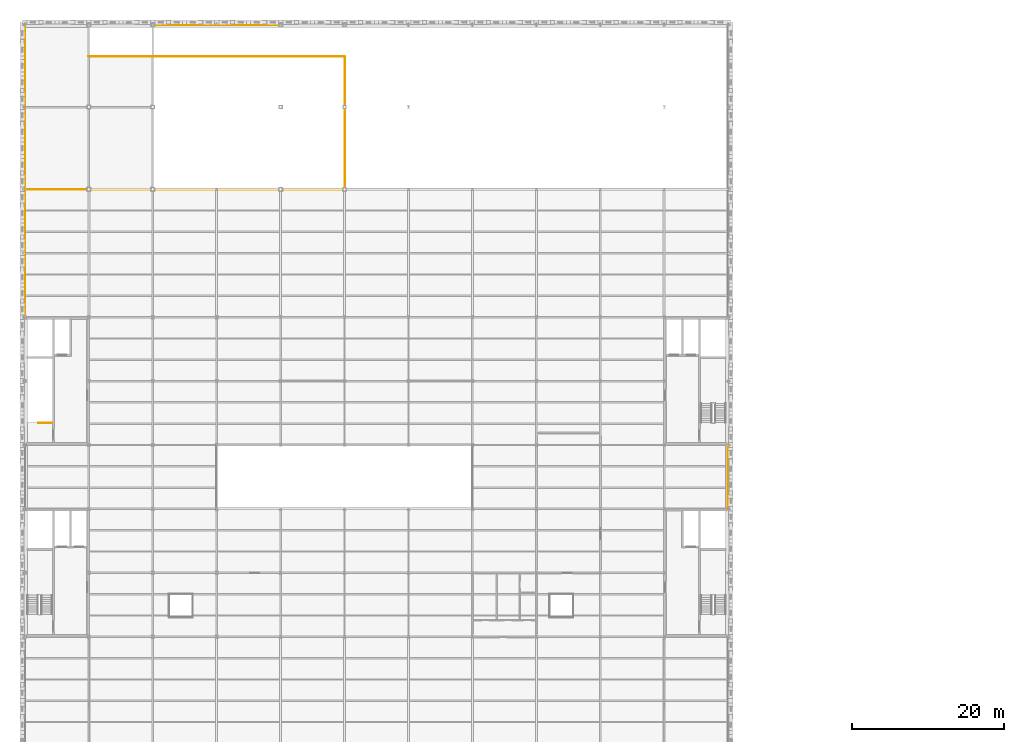
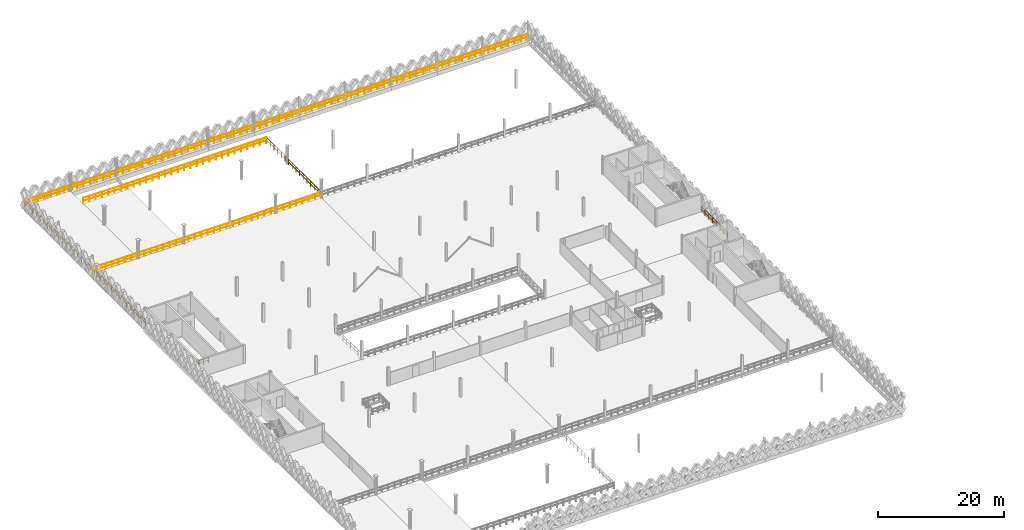
# One storey, part 46 of 47: 8 railings.
"""IFC4 building model written with IfcOpenShell, lengths in metres."""

from ifc_helpers import new_model, si_unit, direction, frame, origin, origin_2d, place, context, subcontext, project, spatial, circle, extrude, material, type_object, element, save


model = new_model("IFC4")

# Units and contexts
model_context = context("Model", 3, precision=1e-05, world=origin(), true_north=direction((0.0, 1.0)))
body_context = subcontext(model_context, "Body", "Model", "MODEL_VIEW")
ifc_project = project(units=[si_unit("LENGTHUNIT", "METRE"), si_unit("AREAUNIT", "SQUARE_METRE"), si_unit("VOLUMEUNIT", "CUBIC_METRE"), si_unit("PLANEANGLEUNIT", "RADIAN"), si_unit("MASSUNIT", "GRAM", prefix="KILO"), si_unit("THERMODYNAMICTEMPERATUREUNIT", "KELVIN"), si_unit("POWERUNIT", "WATT")], contexts=[model_context])

# Site, building, storey
site_placement = place(None, origin())
site = spatial("IfcSite", under=ifc_project, at=site_placement, CompositionType="ELEMENT")
building_placement = place(site_placement, origin())
building = spatial("IfcBuilding", under=site, at=building_placement, Name="Tembeka Court Mobility Hub", CompositionType="ELEMENT")
storey_placement = place(building_placement, frame((0.0, 0.0, 19.800048828125)))
storey = spatial("IfcBuildingStorey", under=building, at=storey_placement, Name="L05", CompositionType="ELEMENT", Elevation=19.800048828125)

# Railings
ifc_material = material(Name="Painted galvanised steel balustrade", Category="steel")
railing_type_1 = type_object("IfcRailingType", Name="RL-GR01", PredefinedType="GUARDRAIL", material=ifc_material)
railing_1_placement = place(storey_placement, frame((3.60009765625, 66.5, 0.0)))
element("IfcRailing", 1, at=railing_1_placement, inside=storey, type_object=railing_type_1, Name="L05 ST03 top well guard 1-1", PredefinedType="GUARDRAIL", context=body_context, shape_type="SweptSolid", body=[
    extrude(circle(Radius=0.02392578125, at=origin_2d()), frame((0.0, 0.0, 1.09619140625), z_axis=(-1.0, 0.0, 0.0), x_axis=(0.0, -1.0, 0.0)), (0.0, 0.0, 1.0), 1.85009765625),
    extrude(circle(Radius=0.02392578125, at=origin_2d()), frame((0.0, 0.0, 0.5361328125), z_axis=(-1.0, 0.0, 0.0), x_axis=(0.0, -1.0, 0.0)), (0.0, 0.0, 1.0), 1.85009765625),
    extrude(circle(Radius=0.02099609375, at=origin_2d()), origin(), (0.0, 0.0, 1.0), 1.072021484375),
    extrude(circle(Radius=0.02099609375, at=origin_2d()), frame((-0.925048828125, 0.0, 0.0)), (0.0, 0.0, 1.0), 1.072021484375),
    extrude(circle(Radius=0.02099609375, at=origin_2d()), frame((-1.85009765625, 0.0, 0.0)), (0.0, 0.0, 1.0), 1.072021484375),
])
railing_type_2 = type_object("IfcRailingType", Name="RL-GR02", PredefinedType="GUARDRAIL", material=ifc_material)
railing_2_placement = place(storey_placement, frame((0.080078125, 97.14990234375, 0.0)))
element("IfcRailing", 2, at=railing_2_placement, inside=storey, type_object=railing_type_2, Name="Perimeter guard GR02-0040", PredefinedType="GUARDRAIL", context=body_context, shape_type="SweptSolid", body=[
    extrude(circle(Radius=0.02392578125, at=origin_2d()), frame((0.0, 0.0, 1.09619140625), z_axis=(1.0, 0.0, 0.0), x_axis=(0.0, 1.0, 0.0)), (0.0, 0.0, 1.0), 8.239990234375),
    extrude(circle(Radius=0.02392578125, at=origin_2d()), frame((0.0, 0.0, 0.5361328125), z_axis=(1.0, 0.0, 0.0), x_axis=(0.0, 1.0, 0.0)), (0.0, 0.0, 1.0), 8.239990234375),
    extrude(circle(Radius=0.02099609375, at=origin_2d()), origin(), (0.0, 0.0, 1.0), 1.072021484375),
    extrude(circle(Radius=0.02099609375, at=origin_2d()), frame((1.17724609375, 0.0, 0.0)), (0.0, 0.0, 1.0), 1.072021484375),
    extrude(circle(Radius=0.02099609375, at=origin_2d()), frame((2.354248046875, 0.0, 0.0)), (0.0, 0.0, 1.0), 1.072021484375),
    extrude(circle(Radius=0.02099609375, at=origin_2d()), frame((3.531494140625, 0.0, 0.0)), (0.0, 0.0, 1.0), 1.072021484375),
    extrude(circle(Radius=0.02099609375, at=origin_2d()), frame((4.70849609375, 0.0, 0.0)), (0.0, 0.0, 1.0), 1.072021484375),
    extrude(circle(Radius=0.02099609375, at=origin_2d()), frame((5.8857421875, 0.0, 0.0)), (0.0, 0.0, 1.0), 1.072021484375),
    extrude(circle(Radius=0.02099609375, at=origin_2d()), frame((7.062744140625, 0.0, 0.0)), (0.0, 0.0, 1.0), 1.072021484375),
    extrude(circle(Radius=0.02099609375, at=origin_2d()), frame((8.239990234375, 0.0, 0.0)), (0.0, 0.0, 1.0), 1.072021484375),
])
railing_3_placement = place(storey_placement, frame((0.080078125, 118.75, 0.0)))
element("IfcRailing", 3, at=railing_3_placement, inside=storey, type_object=railing_type_2, Name="Perimeter guard GR02-0168", PredefinedType="GUARDRAIL", context=body_context, shape_type="SweptSolid", body=[
    extrude(circle(Radius=0.02392578125, at=origin_2d()), frame((0.0, 0.0, 1.09619140625), z_axis=(1.0, 0.0, 0.0), x_axis=(0.0, 1.0, 0.0)), (0.0, 0.0, 1.0), 92.239990234375),
    extrude(circle(Radius=0.02392578125, at=origin_2d()), frame((0.0, 0.0, 0.5361328125), z_axis=(1.0, 0.0, 0.0), x_axis=(0.0, 1.0, 0.0)), (0.0, 0.0, 1.0), 92.239990234375),
    extrude(circle(Radius=0.02099609375, at=origin_2d()), origin(), (0.0, 0.0, 1.0), 1.072021484375),
    extrude(circle(Radius=0.02099609375, at=origin_2d()), frame((1.197998046875, 0.0, 0.0)), (0.0, 0.0, 1.0), 1.072021484375),
    extrude(circle(Radius=0.02099609375, at=origin_2d()), frame((2.395751953125, 0.0, 0.0)), (0.0, 0.0, 1.0), 1.072021484375),
    extrude(circle(Radius=0.02099609375, at=origin_2d()), frame((3.59375, 0.0, 0.0)), (0.0, 0.0, 1.0), 1.072021484375),
    extrude(circle(Radius=0.02099609375, at=origin_2d()), frame((4.791748046875, 0.0, 0.0)), (0.0, 0.0, 1.0), 1.072021484375),
    extrude(circle(Radius=0.02099609375, at=origin_2d()), frame((5.989501953125, 0.0, 0.0)), (0.0, 0.0, 1.0), 1.072021484375),
    extrude(circle(Radius=0.02099609375, at=origin_2d()), frame((7.1875, 0.0, 0.0)), (0.0, 0.0, 1.0), 1.072021484375),
    extrude(circle(Radius=0.02099609375, at=origin_2d()), frame((8.385498046875, 0.0, 0.0)), (0.0, 0.0, 1.0), 1.072021484375),
    extrude(circle(Radius=0.02099609375, at=origin_2d()), frame((9.58349609375, 0.0, 0.0)), (0.0, 0.0, 1.0), 1.072021484375),
    extrude(circle(Radius=0.02099609375, at=origin_2d()), frame((10.78125, 0.0, 0.0)), (0.0, 0.0, 1.0), 1.072021484375),
    extrude(circle(Radius=0.02099609375, at=origin_2d()), frame((11.979248046875, 0.0, 0.0)), (0.0, 0.0, 1.0), 1.072021484375),
    extrude(circle(Radius=0.02099609375, at=origin_2d()), frame((13.17724609375, 0.0, 0.0)), (0.0, 0.0, 1.0), 1.072021484375),
    extrude(circle(Radius=0.02099609375, at=origin_2d()), frame((14.375, 0.0, 0.0)), (0.0, 0.0, 1.0), 1.072021484375),
    extrude(circle(Radius=0.02099609375, at=origin_2d()), frame((15.572998046875, 0.0, 0.0)), (0.0, 0.0, 1.0), 1.072021484375),
    extrude(circle(Radius=0.02099609375, at=origin_2d()), frame((16.77099609375, 0.0, 0.0)), (0.0, 0.0, 1.0), 1.072021484375),
    extrude(circle(Radius=0.02099609375, at=origin_2d()), frame((17.96875, 0.0, 0.0)), (0.0, 0.0, 1.0), 1.072021484375),
    extrude(circle(Radius=0.02099609375, at=origin_2d()), frame((19.166748046875, 0.0, 0.0)), (0.0, 0.0, 1.0), 1.072021484375),
    extrude(circle(Radius=0.02099609375, at=origin_2d()), frame((20.36474609375, 0.0, 0.0)), (0.0, 0.0, 1.0), 1.072021484375),
    extrude(circle(Radius=0.02099609375, at=origin_2d()), frame((21.5625, 0.0, 0.0)), (0.0, 0.0, 1.0), 1.072021484375),
    extrude(circle(Radius=0.02099609375, at=origin_2d()), frame((22.760498046875, 0.0, 0.0)), (0.0, 0.0, 1.0), 1.072021484375),
    extrude(circle(Radius=0.02099609375, at=origin_2d()), frame((23.95849609375, 0.0, 0.0)), (0.0, 0.0, 1.0), 1.072021484375),
    extrude(circle(Radius=0.02099609375, at=origin_2d()), frame((25.15625, 0.0, 0.0)), (0.0, 0.0, 1.0), 1.072021484375),
    extrude(circle(Radius=0.02099609375, at=origin_2d()), frame((26.354248046875, 0.0, 0.0)), (0.0, 0.0, 1.0), 1.072021484375),
    extrude(circle(Radius=0.02099609375, at=origin_2d()), frame((27.55224609375, 0.0, 0.0)), (0.0, 0.0, 1.0), 1.072021484375),
    extrude(circle(Radius=0.02099609375, at=origin_2d()), frame((28.750244140625, 0.0, 0.0)), (0.0, 0.0, 1.0), 1.072021484375),
    extrude(circle(Radius=0.02099609375, at=origin_2d()), frame((29.947998046875, 0.0, 0.0)), (0.0, 0.0, 1.0), 1.072021484375),
    extrude(circle(Radius=0.02099609375, at=origin_2d()), frame((31.14599609375, 0.0, 0.0)), (0.0, 0.0, 1.0), 1.072021484375),
    extrude(circle(Radius=0.02099609375, at=origin_2d()), frame((32.343994140625, 0.0, 0.0)), (0.0, 0.0, 1.0), 1.072021484375),
    extrude(circle(Radius=0.02099609375, at=origin_2d()), frame((33.541748046875, 0.0, 0.0)), (0.0, 0.0, 1.0), 1.072021484375),
    extrude(circle(Radius=0.02099609375, at=origin_2d()), frame((34.73974609375, 0.0, 0.0)), (0.0, 0.0, 1.0), 1.072021484375),
    extrude(circle(Radius=0.02099609375, at=origin_2d()), frame((35.937744140625, 0.0, 0.0)), (0.0, 0.0, 1.0), 1.072021484375),
    extrude(circle(Radius=0.02099609375, at=origin_2d()), frame((37.135498046875, 0.0, 0.0)), (0.0, 0.0, 1.0), 1.072021484375),
    extrude(circle(Radius=0.02099609375, at=origin_2d()), frame((38.33349609375, 0.0, 0.0)), (0.0, 0.0, 1.0), 1.072021484375),
    extrude(circle(Radius=0.02099609375, at=origin_2d()), frame((39.531494140625, 0.0, 0.0)), (0.0, 0.0, 1.0), 1.072021484375),
    extrude(circle(Radius=0.02099609375, at=origin_2d()), frame((40.729248046875, 0.0, 0.0)), (0.0, 0.0, 1.0), 1.072021484375),
    extrude(circle(Radius=0.02099609375, at=origin_2d()), frame((41.92724609375, 0.0, 0.0)), (0.0, 0.0, 1.0), 1.072021484375),
    extrude(circle(Radius=0.02099609375, at=origin_2d()), frame((43.125244140625, 0.0, 0.0)), (0.0, 0.0, 1.0), 1.072021484375),
    extrude(circle(Radius=0.02099609375, at=origin_2d()), frame((44.322998046875, 0.0, 0.0)), (0.0, 0.0, 1.0), 1.072021484375),
    extrude(circle(Radius=0.02099609375, at=origin_2d()), frame((45.52099609375, 0.0, 0.0)), (0.0, 0.0, 1.0), 1.072021484375),
    extrude(circle(Radius=0.02099609375, at=origin_2d()), frame((46.718994140625, 0.0, 0.0)), (0.0, 0.0, 1.0), 1.072021484375),
    extrude(circle(Radius=0.02099609375, at=origin_2d()), frame((47.9169921875, 0.0, 0.0)), (0.0, 0.0, 1.0), 1.072021484375),
    extrude(circle(Radius=0.02099609375, at=origin_2d()), frame((49.11474609375, 0.0, 0.0)), (0.0, 0.0, 1.0), 1.072021484375),
    extrude(circle(Radius=0.02099609375, at=origin_2d()), frame((50.312744140625, 0.0, 0.0)), (0.0, 0.0, 1.0), 1.072021484375),
    extrude(circle(Radius=0.02099609375, at=origin_2d()), frame((51.5107421875, 0.0, 0.0)), (0.0, 0.0, 1.0), 1.072021484375),
    extrude(circle(Radius=0.02099609375, at=origin_2d()), frame((52.70849609375, 0.0, 0.0)), (0.0, 0.0, 1.0), 1.072021484375),
    extrude(circle(Radius=0.02099609375, at=origin_2d()), frame((53.906494140625, 0.0, 0.0)), (0.0, 0.0, 1.0), 1.072021484375),
    extrude(circle(Radius=0.02099609375, at=origin_2d()), frame((55.1044921875, 0.0, 0.0)), (0.0, 0.0, 1.0), 1.072021484375),
    extrude(circle(Radius=0.02099609375, at=origin_2d()), frame((56.30224609375, 0.0, 0.0)), (0.0, 0.0, 1.0), 1.072021484375),
    extrude(circle(Radius=0.02099609375, at=origin_2d()), frame((57.500244140625, 0.0, 0.0)), (0.0, 0.0, 1.0), 1.072021484375),
    extrude(circle(Radius=0.02099609375, at=origin_2d()), frame((58.6982421875, 0.0, 0.0)), (0.0, 0.0, 1.0), 1.072021484375),
    extrude(circle(Radius=0.02099609375, at=origin_2d()), frame((59.89599609375, 0.0, 0.0)), (0.0, 0.0, 1.0), 1.072021484375),
    extrude(circle(Radius=0.02099609375, at=origin_2d()), frame((61.093994140625, 0.0, 0.0)), (0.0, 0.0, 1.0), 1.072021484375),
    extrude(circle(Radius=0.02099609375, at=origin_2d()), frame((62.2919921875, 0.0, 0.0)), (0.0, 0.0, 1.0), 1.072021484375),
    extrude(circle(Radius=0.02099609375, at=origin_2d()), frame((63.48974609375, 0.0, 0.0)), (0.0, 0.0, 1.0), 1.072021484375),
    extrude(circle(Radius=0.02099609375, at=origin_2d()), frame((64.687744140625, 0.0, 0.0)), (0.0, 0.0, 1.0), 1.072021484375),
    extrude(circle(Radius=0.02099609375, at=origin_2d()), frame((65.8857421875, 0.0, 0.0)), (0.0, 0.0, 1.0), 1.072021484375),
    extrude(circle(Radius=0.02099609375, at=origin_2d()), frame((67.083740234375, 0.0, 0.0)), (0.0, 0.0, 1.0), 1.072021484375),
    extrude(circle(Radius=0.02099609375, at=origin_2d()), frame((68.281494140625, 0.0, 0.0)), (0.0, 0.0, 1.0), 1.072021484375),
    extrude(circle(Radius=0.02099609375, at=origin_2d()), frame((69.4794921875, 0.0, 0.0)), (0.0, 0.0, 1.0), 1.072021484375),
    extrude(circle(Radius=0.02099609375, at=origin_2d()), frame((70.677490234375, 0.0, 0.0)), (0.0, 0.0, 1.0), 1.072021484375),
    extrude(circle(Radius=0.02099609375, at=origin_2d()), frame((71.875244140625, 0.0, 0.0)), (0.0, 0.0, 1.0), 1.072021484375),
    extrude(circle(Radius=0.02099609375, at=origin_2d()), frame((73.0732421875, 0.0, 0.0)), (0.0, 0.0, 1.0), 1.072021484375),
    extrude(circle(Radius=0.02099609375, at=origin_2d()), frame((74.271240234375, 0.0, 0.0)), (0.0, 0.0, 1.0), 1.072021484375),
    extrude(circle(Radius=0.02099609375, at=origin_2d()), frame((75.468994140625, 0.0, 0.0)), (0.0, 0.0, 1.0), 1.072021484375),
    extrude(circle(Radius=0.02099609375, at=origin_2d()), frame((76.6669921875, 0.0, 0.0)), (0.0, 0.0, 1.0), 1.072021484375),
    extrude(circle(Radius=0.02099609375, at=origin_2d()), frame((77.864990234375, 0.0, 0.0)), (0.0, 0.0, 1.0), 1.072021484375),
    extrude(circle(Radius=0.02099609375, at=origin_2d()), frame((79.062744140625, 0.0, 0.0)), (0.0, 0.0, 1.0), 1.072021484375),
    extrude(circle(Radius=0.02099609375, at=origin_2d()), frame((80.2607421875, 0.0, 0.0)), (0.0, 0.0, 1.0), 1.072021484375),
    extrude(circle(Radius=0.02099609375, at=origin_2d()), frame((81.458740234375, 0.0, 0.0)), (0.0, 0.0, 1.0), 1.072021484375),
    extrude(circle(Radius=0.02099609375, at=origin_2d()), frame((82.656494140625, 0.0, 0.0)), (0.0, 0.0, 1.0), 1.072021484375),
    extrude(circle(Radius=0.02099609375, at=origin_2d()), frame((83.8544921875, 0.0, 0.0)), (0.0, 0.0, 1.0), 1.072021484375),
    extrude(circle(Radius=0.02099609375, at=origin_2d()), frame((85.052490234375, 0.0, 0.0)), (0.0, 0.0, 1.0), 1.072021484375),
    extrude(circle(Radius=0.02099609375, at=origin_2d()), frame((86.25048828125, 0.0, 0.0)), (0.0, 0.0, 1.0), 1.072021484375),
    extrude(circle(Radius=0.02099609375, at=origin_2d()), frame((87.4482421875, 0.0, 0.0)), (0.0, 0.0, 1.0), 1.072021484375),
    extrude(circle(Radius=0.02099609375, at=origin_2d()), frame((88.646240234375, 0.0, 0.0)), (0.0, 0.0, 1.0), 1.072021484375),
    extrude(circle(Radius=0.02099609375, at=origin_2d()), frame((89.84423828125, 0.0, 0.0)), (0.0, 0.0, 1.0), 1.072021484375),
    extrude(circle(Radius=0.02099609375, at=origin_2d()), frame((91.0419921875, 0.0, 0.0)), (0.0, 0.0, 1.0), 1.072021484375),
    extrude(circle(Radius=0.02099609375, at=origin_2d()), frame((92.239990234375, 0.0, 0.0)), (0.0, 0.0, 1.0), 1.072021484375),
])
railing_4_placement = place(storey_placement, frame((0.050048828125, 80.429931640625, 0.0)))
element("IfcRailing", 4, at=railing_4_placement, inside=storey, type_object=railing_type_2, Name="Perimeter guard GR02-0171", PredefinedType="GUARDRAIL", context=body_context, shape_type="SweptSolid", body=[
    extrude(circle(Radius=0.02392578125, at=origin_2d()), frame((0.0, 0.0, 1.09619140625), z_axis=(0.0, 1.0, 0.0), x_axis=(-1.0, 0.0, 0.0)), (0.0, 0.0, 1.0), 38.2900390625),
    extrude(circle(Radius=0.02392578125, at=origin_2d()), frame((0.0, 0.0, 0.5361328125), z_axis=(0.0, 1.0, 0.0), x_axis=(-1.0, 0.0, 0.0)), (0.0, 0.0, 1.0), 38.2900390625),
    extrude(circle(Radius=0.02099609375, at=origin_2d()), origin(), (0.0, 0.0, 1.0), 1.072021484375),
    extrude(circle(Radius=0.02099609375, at=origin_2d()), frame((0.0, 1.196533203125, 0.0)), (0.0, 0.0, 1.0), 1.072021484375),
    extrude(circle(Radius=0.02099609375, at=origin_2d()), frame((0.0, 2.39306640625, 0.0)), (0.0, 0.0, 1.0), 1.072021484375),
    extrude(circle(Radius=0.02099609375, at=origin_2d()), frame((0.0, 3.589599609375, 0.0)), (0.0, 0.0, 1.0), 1.072021484375),
    extrude(circle(Radius=0.02099609375, at=origin_2d()), frame((0.0, 4.7861328125, 0.0)), (0.0, 0.0, 1.0), 1.072021484375),
    extrude(circle(Radius=0.02099609375, at=origin_2d()), frame((0.0, 5.98291015625, 0.0)), (0.0, 0.0, 1.0), 1.072021484375),
    extrude(circle(Radius=0.02099609375, at=origin_2d()), frame((0.0, 7.179443359375, 0.0)), (0.0, 0.0, 1.0), 1.072021484375),
    extrude(circle(Radius=0.02099609375, at=origin_2d()), frame((0.0, 8.3759765625, 0.0)), (0.0, 0.0, 1.0), 1.072021484375),
    extrude(circle(Radius=0.02099609375, at=origin_2d()), frame((0.0, 9.572509765625, 0.0)), (0.0, 0.0, 1.0), 1.072021484375),
    extrude(circle(Radius=0.02099609375, at=origin_2d()), frame((0.0, 10.76904296875, 0.0)), (0.0, 0.0, 1.0), 1.072021484375),
    extrude(circle(Radius=0.02099609375, at=origin_2d()), frame((0.0, 11.965576171875, 0.0)), (0.0, 0.0, 1.0), 1.072021484375),
    extrude(circle(Radius=0.02099609375, at=origin_2d()), frame((0.0, 13.162109375, 0.0)), (0.0, 0.0, 1.0), 1.072021484375),
    extrude(circle(Radius=0.02099609375, at=origin_2d()), frame((0.0, 14.35888671875, 0.0)), (0.0, 0.0, 1.0), 1.072021484375),
    extrude(circle(Radius=0.02099609375, at=origin_2d()), frame((0.0, 15.555419921875, 0.0)), (0.0, 0.0, 1.0), 1.072021484375),
    extrude(circle(Radius=0.02099609375, at=origin_2d()), frame((0.0, 16.751953125, 0.0)), (0.0, 0.0, 1.0), 1.072021484375),
    extrude(circle(Radius=0.02099609375, at=origin_2d()), frame((0.0, 17.948486328125, 0.0)), (0.0, 0.0, 1.0), 1.072021484375),
    extrude(circle(Radius=0.02099609375, at=origin_2d()), frame((0.0, 19.14501953125, 0.0)), (0.0, 0.0, 1.0), 1.072021484375),
    extrude(circle(Radius=0.02099609375, at=origin_2d()), frame((0.0, 20.341552734375, 0.0)), (0.0, 0.0, 1.0), 1.072021484375),
    extrude(circle(Radius=0.02099609375, at=origin_2d()), frame((0.0, 21.5380859375, 0.0)), (0.0, 0.0, 1.0), 1.072021484375),
    extrude(circle(Radius=0.02099609375, at=origin_2d()), frame((0.0, 22.734619140625, 0.0)), (0.0, 0.0, 1.0), 1.072021484375),
    extrude(circle(Radius=0.02099609375, at=origin_2d()), frame((0.0, 23.93115234375, 0.0)), (0.0, 0.0, 1.0), 1.072021484375),
    extrude(circle(Radius=0.02099609375, at=origin_2d()), frame((0.0, 25.1279296875, 0.0)), (0.0, 0.0, 1.0), 1.072021484375),
    extrude(circle(Radius=0.02099609375, at=origin_2d()), frame((0.0, 26.324462890625, 0.0)), (0.0, 0.0, 1.0), 1.072021484375),
    extrude(circle(Radius=0.02099609375, at=origin_2d()), frame((0.0, 27.52099609375, 0.0)), (0.0, 0.0, 1.0), 1.072021484375),
    extrude(circle(Radius=0.02099609375, at=origin_2d()), frame((0.0, 28.717529296875, 0.0)), (0.0, 0.0, 1.0), 1.072021484375),
    extrude(circle(Radius=0.02099609375, at=origin_2d()), frame((0.0, 29.9140625, 0.0)), (0.0, 0.0, 1.0), 1.072021484375),
    extrude(circle(Radius=0.02099609375, at=origin_2d()), frame((0.0, 31.110595703125, 0.0)), (0.0, 0.0, 1.0), 1.072021484375),
    extrude(circle(Radius=0.02099609375, at=origin_2d()), frame((0.0, 32.30712890625, 0.0)), (0.0, 0.0, 1.0), 1.072021484375),
    extrude(circle(Radius=0.02099609375, at=origin_2d()), frame((0.0, 33.50390625, 0.0)), (0.0, 0.0, 1.0), 1.072021484375),
    extrude(circle(Radius=0.02099609375, at=origin_2d()), frame((0.0, 34.700439453125, 0.0)), (0.0, 0.0, 1.0), 1.072021484375),
    extrude(circle(Radius=0.02099609375, at=origin_2d()), frame((0.0, 35.89697265625, 0.0)), (0.0, 0.0, 1.0), 1.072021484375),
    extrude(circle(Radius=0.02099609375, at=origin_2d()), frame((0.0, 37.093505859375, 0.0)), (0.0, 0.0, 1.0), 1.072021484375),
    extrude(circle(Radius=0.02099609375, at=origin_2d()), frame((0.0, 38.2900390625, 0.0)), (0.0, 0.0, 1.0), 1.072021484375),
])
railing_5_placement = place(storey_placement, frame((92.35009765625, 55.22998046875, 0.0)))
element("IfcRailing", 5, at=railing_5_placement, inside=storey, type_object=railing_type_2, Name="Perimeter guard GR02-0173", PredefinedType="GUARDRAIL", context=body_context, shape_type="SweptSolid", body=[
    extrude(circle(Radius=0.02392578125, at=origin_2d()), frame((0.0, 0.0, 1.09619140625), z_axis=(0.0, 1.0, 0.0), x_axis=(-1.0, 0.0, 0.0)), (0.0, 0.0, 1.0), 8.340087890625),
    extrude(circle(Radius=0.02392578125, at=origin_2d()), frame((0.0, 0.0, 0.5361328125), z_axis=(0.0, 1.0, 0.0), x_axis=(-1.0, 0.0, 0.0)), (0.0, 0.0, 1.0), 8.340087890625),
    extrude(circle(Radius=0.02099609375, at=origin_2d()), origin(), (0.0, 0.0, 1.0), 1.072021484375),
    extrude(circle(Radius=0.02099609375, at=origin_2d()), frame((0.0, 1.19140625, 0.0)), (0.0, 0.0, 1.0), 1.072021484375),
    extrude(circle(Radius=0.02099609375, at=origin_2d()), frame((0.0, 2.3828125, 0.0)), (0.0, 0.0, 1.0), 1.072021484375),
    extrude(circle(Radius=0.02099609375, at=origin_2d()), frame((0.0, 3.57421875, 0.0)), (0.0, 0.0, 1.0), 1.072021484375),
    extrude(circle(Radius=0.02099609375, at=origin_2d()), frame((0.0, 4.765869140625, 0.0)), (0.0, 0.0, 1.0), 1.072021484375),
    extrude(circle(Radius=0.02099609375, at=origin_2d()), frame((0.0, 5.957275390625, 0.0)), (0.0, 0.0, 1.0), 1.072021484375),
    extrude(circle(Radius=0.02099609375, at=origin_2d()), frame((0.0, 7.148681640625, 0.0)), (0.0, 0.0, 1.0), 1.072021484375),
    extrude(circle(Radius=0.02099609375, at=origin_2d()), frame((0.0, 8.340087890625, 0.0)), (0.0, 0.0, 1.0), 1.072021484375),
])
railing_6_placement = place(storey_placement, frame((8.3798828125, 97.14990234375, 0.0)))
element("IfcRailing", 6, at=railing_6_placement, inside=storey, type_object=railing_type_2, Name="Perimeter guard GR02-0199", PredefinedType="GUARDRAIL", context=body_context, shape_type="SweptSolid", body=[
    extrude(circle(Radius=0.02392578125, at=origin_2d()), frame((0.0, 0.0, 1.09619140625), z_axis=(1.0, 0.0, 0.0), x_axis=(0.0, 1.0, 0.0)), (0.0, 0.0, 1.0), 33.64013671875),
    extrude(circle(Radius=0.02392578125, at=origin_2d()), frame((0.0, 0.0, 0.5361328125), z_axis=(1.0, 0.0, 0.0), x_axis=(0.0, 1.0, 0.0)), (0.0, 0.0, 1.0), 33.64013671875),
    extrude(circle(Radius=0.02099609375, at=origin_2d()), origin(), (0.0, 0.0, 1.0), 1.072021484375),
    extrude(circle(Radius=0.02099609375, at=origin_2d()), frame((1.159912109375, 0.0, 0.0)), (0.0, 0.0, 1.0), 1.072021484375),
    extrude(circle(Radius=0.02099609375, at=origin_2d()), frame((2.320068359375, 0.0, 0.0)), (0.0, 0.0, 1.0), 1.072021484375),
    extrude(circle(Radius=0.02099609375, at=origin_2d()), frame((3.47998046875, 0.0, 0.0)), (0.0, 0.0, 1.0), 1.072021484375),
    extrude(circle(Radius=0.02099609375, at=origin_2d()), frame((4.64013671875, 0.0, 0.0)), (0.0, 0.0, 1.0), 1.072021484375),
    extrude(circle(Radius=0.02099609375, at=origin_2d()), frame((5.800048828125, 0.0, 0.0)), (0.0, 0.0, 1.0), 1.072021484375),
    extrude(circle(Radius=0.02099609375, at=origin_2d()), frame((6.9599609375, 0.0, 0.0)), (0.0, 0.0, 1.0), 1.072021484375),
    extrude(circle(Radius=0.02099609375, at=origin_2d()), frame((8.1201171875, 0.0, 0.0)), (0.0, 0.0, 1.0), 1.072021484375),
    extrude(circle(Radius=0.02099609375, at=origin_2d()), frame((9.280029296875, 0.0, 0.0)), (0.0, 0.0, 1.0), 1.072021484375),
    extrude(circle(Radius=0.02099609375, at=origin_2d()), frame((10.43994140625, 0.0, 0.0)), (0.0, 0.0, 1.0), 1.072021484375),
    extrude(circle(Radius=0.02099609375, at=origin_2d()), frame((11.60009765625, 0.0, 0.0)), (0.0, 0.0, 1.0), 1.072021484375),
    extrude(circle(Radius=0.02099609375, at=origin_2d()), frame((12.760009765625, 0.0, 0.0)), (0.0, 0.0, 1.0), 1.072021484375),
    extrude(circle(Radius=0.02099609375, at=origin_2d()), frame((13.920166015625, 0.0, 0.0)), (0.0, 0.0, 1.0), 1.072021484375),
    extrude(circle(Radius=0.02099609375, at=origin_2d()), frame((15.080078125, 0.0, 0.0)), (0.0, 0.0, 1.0), 1.072021484375),
    extrude(circle(Radius=0.02099609375, at=origin_2d()), frame((16.239990234375, 0.0, 0.0)), (0.0, 0.0, 1.0), 1.072021484375),
    extrude(circle(Radius=0.02099609375, at=origin_2d()), frame((17.400146484375, 0.0, 0.0)), (0.0, 0.0, 1.0), 1.072021484375),
    extrude(circle(Radius=0.02099609375, at=origin_2d()), frame((18.56005859375, 0.0, 0.0)), (0.0, 0.0, 1.0), 1.072021484375),
    extrude(circle(Radius=0.02099609375, at=origin_2d()), frame((19.719970703125, 0.0, 0.0)), (0.0, 0.0, 1.0), 1.072021484375),
    extrude(circle(Radius=0.02099609375, at=origin_2d()), frame((20.880126953125, 0.0, 0.0)), (0.0, 0.0, 1.0), 1.072021484375),
    extrude(circle(Radius=0.02099609375, at=origin_2d()), frame((22.0400390625, 0.0, 0.0)), (0.0, 0.0, 1.0), 1.072021484375),
    extrude(circle(Radius=0.02099609375, at=origin_2d()), frame((23.2001953125, 0.0, 0.0)), (0.0, 0.0, 1.0), 1.072021484375),
    extrude(circle(Radius=0.02099609375, at=origin_2d()), frame((24.360107421875, 0.0, 0.0)), (0.0, 0.0, 1.0), 1.072021484375),
    extrude(circle(Radius=0.02099609375, at=origin_2d()), frame((25.52001953125, 0.0, 0.0)), (0.0, 0.0, 1.0), 1.072021484375),
    extrude(circle(Radius=0.02099609375, at=origin_2d()), frame((26.68017578125, 0.0, 0.0)), (0.0, 0.0, 1.0), 1.072021484375),
    extrude(circle(Radius=0.02099609375, at=origin_2d()), frame((27.840087890625, 0.0, 0.0)), (0.0, 0.0, 1.0), 1.072021484375),
    extrude(circle(Radius=0.02099609375, at=origin_2d()), frame((29.0, 0.0, 0.0)), (0.0, 0.0, 1.0), 1.072021484375),
    extrude(circle(Radius=0.02099609375, at=origin_2d()), frame((30.16015625, 0.0, 0.0)), (0.0, 0.0, 1.0), 1.072021484375),
    extrude(circle(Radius=0.02099609375, at=origin_2d()), frame((31.320068359375, 0.0, 0.0)), (0.0, 0.0, 1.0), 1.072021484375),
    extrude(circle(Radius=0.02099609375, at=origin_2d()), frame((32.480224609375, 0.0, 0.0)), (0.0, 0.0, 1.0), 1.072021484375),
    extrude(circle(Radius=0.02099609375, at=origin_2d()), frame((33.64013671875, 0.0, 0.0)), (0.0, 0.0, 1.0), 1.072021484375),
])
railing_7_placement = place(storey_placement, frame((8.3798828125, 114.64990234375, 0.0)))
element("IfcRailing", 7, at=railing_7_placement, inside=storey, type_object=railing_type_2, Name="Perimeter guard GR02-0200", PredefinedType="GUARDRAIL", context=body_context, shape_type="SweptSolid", body=[
    extrude(circle(Radius=0.02392578125, at=origin_2d()), frame((0.0, 0.0, 1.09619140625), z_axis=(1.0, 0.0, 0.0), x_axis=(0.0, 1.0, 0.0)), (0.0, 0.0, 1.0), 33.64013671875),
    extrude(circle(Radius=0.02392578125, at=origin_2d()), frame((0.0, 0.0, 0.5361328125), z_axis=(1.0, 0.0, 0.0), x_axis=(0.0, 1.0, 0.0)), (0.0, 0.0, 1.0), 33.64013671875),
    extrude(circle(Radius=0.02099609375, at=origin_2d()), origin(), (0.0, 0.0, 1.0), 1.072021484375),
    extrude(circle(Radius=0.02099609375, at=origin_2d()), frame((1.159912109375, 0.0, 0.0)), (0.0, 0.0, 1.0), 1.072021484375),
    extrude(circle(Radius=0.02099609375, at=origin_2d()), frame((2.320068359375, 0.0, 0.0)), (0.0, 0.0, 1.0), 1.072021484375),
    extrude(circle(Radius=0.02099609375, at=origin_2d()), frame((3.47998046875, 0.0, 0.0)), (0.0, 0.0, 1.0), 1.072021484375),
    extrude(circle(Radius=0.02099609375, at=origin_2d()), frame((4.64013671875, 0.0, 0.0)), (0.0, 0.0, 1.0), 1.072021484375),
    extrude(circle(Radius=0.02099609375, at=origin_2d()), frame((5.800048828125, 0.0, 0.0)), (0.0, 0.0, 1.0), 1.072021484375),
    extrude(circle(Radius=0.02099609375, at=origin_2d()), frame((6.9599609375, 0.0, 0.0)), (0.0, 0.0, 1.0), 1.072021484375),
    extrude(circle(Radius=0.02099609375, at=origin_2d()), frame((8.1201171875, 0.0, 0.0)), (0.0, 0.0, 1.0), 1.072021484375),
    extrude(circle(Radius=0.02099609375, at=origin_2d()), frame((9.280029296875, 0.0, 0.0)), (0.0, 0.0, 1.0), 1.072021484375),
    extrude(circle(Radius=0.02099609375, at=origin_2d()), frame((10.43994140625, 0.0, 0.0)), (0.0, 0.0, 1.0), 1.072021484375),
    extrude(circle(Radius=0.02099609375, at=origin_2d()), frame((11.60009765625, 0.0, 0.0)), (0.0, 0.0, 1.0), 1.072021484375),
    extrude(circle(Radius=0.02099609375, at=origin_2d()), frame((12.760009765625, 0.0, 0.0)), (0.0, 0.0, 1.0), 1.072021484375),
    extrude(circle(Radius=0.02099609375, at=origin_2d()), frame((13.920166015625, 0.0, 0.0)), (0.0, 0.0, 1.0), 1.072021484375),
    extrude(circle(Radius=0.02099609375, at=origin_2d()), frame((15.080078125, 0.0, 0.0)), (0.0, 0.0, 1.0), 1.072021484375),
    extrude(circle(Radius=0.02099609375, at=origin_2d()), frame((16.239990234375, 0.0, 0.0)), (0.0, 0.0, 1.0), 1.072021484375),
    extrude(circle(Radius=0.02099609375, at=origin_2d()), frame((17.400146484375, 0.0, 0.0)), (0.0, 0.0, 1.0), 1.072021484375),
    extrude(circle(Radius=0.02099609375, at=origin_2d()), frame((18.56005859375, 0.0, 0.0)), (0.0, 0.0, 1.0), 1.072021484375),
    extrude(circle(Radius=0.02099609375, at=origin_2d()), frame((19.719970703125, 0.0, 0.0)), (0.0, 0.0, 1.0), 1.072021484375),
    extrude(circle(Radius=0.02099609375, at=origin_2d()), frame((20.880126953125, 0.0, 0.0)), (0.0, 0.0, 1.0), 1.072021484375),
    extrude(circle(Radius=0.02099609375, at=origin_2d()), frame((22.0400390625, 0.0, 0.0)), (0.0, 0.0, 1.0), 1.072021484375),
    extrude(circle(Radius=0.02099609375, at=origin_2d()), frame((23.2001953125, 0.0, 0.0)), (0.0, 0.0, 1.0), 1.072021484375),
    extrude(circle(Radius=0.02099609375, at=origin_2d()), frame((24.360107421875, 0.0, 0.0)), (0.0, 0.0, 1.0), 1.072021484375),
    extrude(circle(Radius=0.02099609375, at=origin_2d()), frame((25.52001953125, 0.0, 0.0)), (0.0, 0.0, 1.0), 1.072021484375),
    extrude(circle(Radius=0.02099609375, at=origin_2d()), frame((26.68017578125, 0.0, 0.0)), (0.0, 0.0, 1.0), 1.072021484375),
    extrude(circle(Radius=0.02099609375, at=origin_2d()), frame((27.840087890625, 0.0, 0.0)), (0.0, 0.0, 1.0), 1.072021484375),
    extrude(circle(Radius=0.02099609375, at=origin_2d()), frame((29.0, 0.0, 0.0)), (0.0, 0.0, 1.0), 1.072021484375),
    extrude(circle(Radius=0.02099609375, at=origin_2d()), frame((30.16015625, 0.0, 0.0)), (0.0, 0.0, 1.0), 1.072021484375),
    extrude(circle(Radius=0.02099609375, at=origin_2d()), frame((31.320068359375, 0.0, 0.0)), (0.0, 0.0, 1.0), 1.072021484375),
    extrude(circle(Radius=0.02099609375, at=origin_2d()), frame((32.480224609375, 0.0, 0.0)), (0.0, 0.0, 1.0), 1.072021484375),
    extrude(circle(Radius=0.02099609375, at=origin_2d()), frame((33.64013671875, 0.0, 0.0)), (0.0, 0.0, 1.0), 1.072021484375),
])
railing_8_placement = place(storey_placement, frame((42.050048828125, 97.179931640625, 0.0)))
element("IfcRailing", 8, at=railing_8_placement, inside=storey, type_object=railing_type_2, Name="Perimeter guard GR02-0201", PredefinedType="GUARDRAIL", context=body_context, shape_type="SweptSolid", body=[
    extrude(circle(Radius=0.02392578125, at=origin_2d()), frame((0.0, 0.0, 1.09619140625), z_axis=(0.0, 1.0, 0.0), x_axis=(-1.0, 0.0, 0.0)), (0.0, 0.0, 1.0), 17.440185546875),
    extrude(circle(Radius=0.02392578125, at=origin_2d()), frame((0.0, 0.0, 0.5361328125), z_axis=(0.0, 1.0, 0.0), x_axis=(-1.0, 0.0, 0.0)), (0.0, 0.0, 1.0), 17.440185546875),
    extrude(circle(Radius=0.02099609375, at=origin_2d()), origin(), (0.0, 0.0, 1.0), 1.072021484375),
    extrude(circle(Radius=0.02099609375, at=origin_2d()), frame((0.0, 1.16259765625, 0.0)), (0.0, 0.0, 1.0), 1.072021484375),
    extrude(circle(Radius=0.02099609375, at=origin_2d()), frame((0.0, 2.325439453125, 0.0)), (0.0, 0.0, 1.0), 1.072021484375),
    extrude(circle(Radius=0.02099609375, at=origin_2d()), frame((0.0, 3.488037109375, 0.0)), (0.0, 0.0, 1.0), 1.072021484375),
    extrude(circle(Radius=0.02099609375, at=origin_2d()), frame((0.0, 4.650634765625, 0.0)), (0.0, 0.0, 1.0), 1.072021484375),
    extrude(circle(Radius=0.02099609375, at=origin_2d()), frame((0.0, 5.8134765625, 0.0)), (0.0, 0.0, 1.0), 1.072021484375),
    extrude(circle(Radius=0.02099609375, at=origin_2d()), frame((0.0, 6.97607421875, 0.0)), (0.0, 0.0, 1.0), 1.072021484375),
    extrude(circle(Radius=0.02099609375, at=origin_2d()), frame((0.0, 8.138671875, 0.0)), (0.0, 0.0, 1.0), 1.072021484375),
    extrude(circle(Radius=0.02099609375, at=origin_2d()), frame((0.0, 9.301513671875, 0.0)), (0.0, 0.0, 1.0), 1.072021484375),
    extrude(circle(Radius=0.02099609375, at=origin_2d()), frame((0.0, 10.464111328125, 0.0)), (0.0, 0.0, 1.0), 1.072021484375),
    extrude(circle(Radius=0.02099609375, at=origin_2d()), frame((0.0, 11.626708984375, 0.0)), (0.0, 0.0, 1.0), 1.072021484375),
    extrude(circle(Radius=0.02099609375, at=origin_2d()), frame((0.0, 12.78955078125, 0.0)), (0.0, 0.0, 1.0), 1.072021484375),
    extrude(circle(Radius=0.02099609375, at=origin_2d()), frame((0.0, 13.9521484375, 0.0)), (0.0, 0.0, 1.0), 1.072021484375),
    extrude(circle(Radius=0.02099609375, at=origin_2d()), frame((0.0, 15.11474609375, 0.0)), (0.0, 0.0, 1.0), 1.072021484375),
    extrude(circle(Radius=0.02099609375, at=origin_2d()), frame((0.0, 16.277587890625, 0.0)), (0.0, 0.0, 1.0), 1.072021484375),
    extrude(circle(Radius=0.02099609375, at=origin_2d()), frame((0.0, 17.440185546875, 0.0)), (0.0, 0.0, 1.0), 1.072021484375),
])

save(model, "model.ifc")
